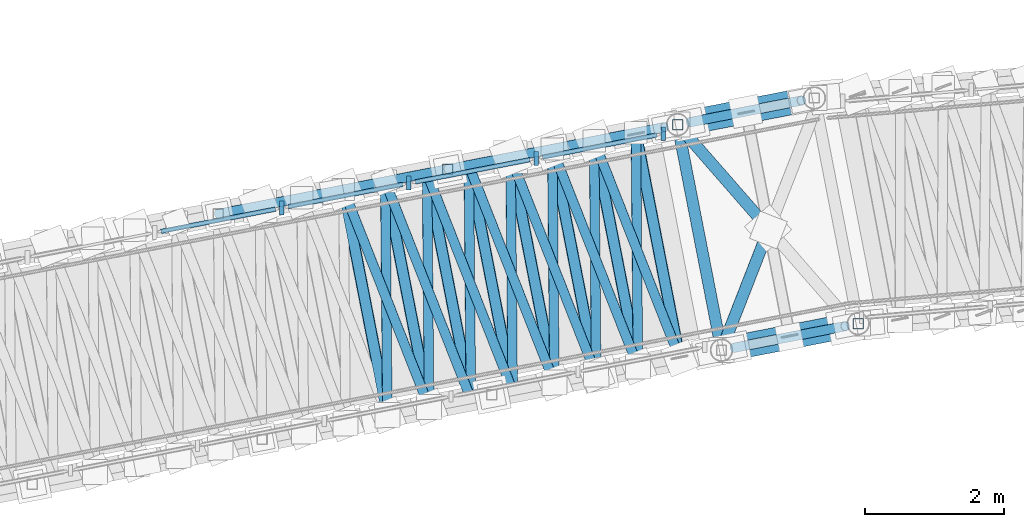
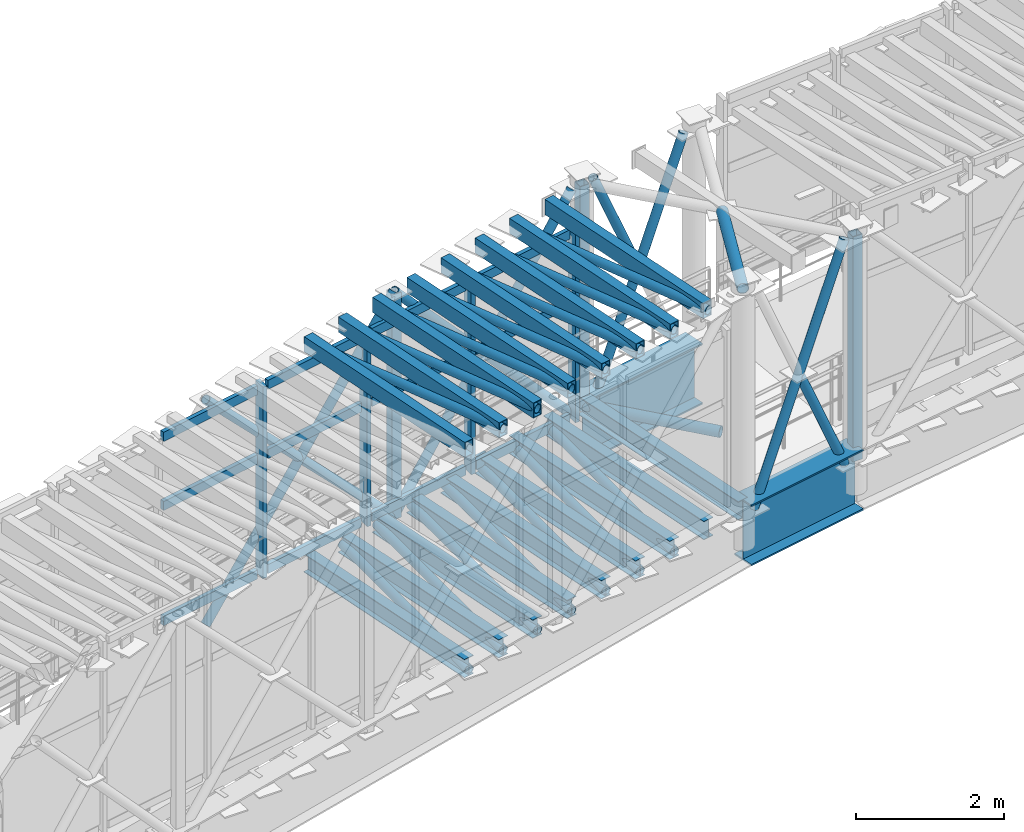
# One storey, part 49 of 144: 53 members, 11 beams, 1 element without a shape of its own.
"""IFC4 building model written with IfcOpenShell, lengths in metres."""

from ifc_helpers import new_model, si_unit, direction, frame, origin, origin_2d, place, context, subcontext, project, spatial, rectangle, hollow_rectangle, hollow_circle, i_section, extrude, material, material_profile, profile_set, type_object, element, aggregate, save


model = new_model("IFC4")

# Units and contexts
model_context = context("Model", 3, precision=1e-05, world=origin(), true_north=direction((0.0, 1.0)))
body_context = subcontext(model_context, "Body", "Model", "MODEL_VIEW")
ifc_project = project(units=[si_unit("LENGTHUNIT", "METRE"), si_unit("AREAUNIT", "SQUARE_METRE"), si_unit("VOLUMEUNIT", "CUBIC_METRE"), si_unit("PLANEANGLEUNIT", "RADIAN"), si_unit("MASSUNIT", "GRAM", prefix="KILO")], contexts=[model_context])

# Site, building, storey
site_placement = place(None, origin())
site = spatial("IfcSite", under=ifc_project, at=site_placement, CompositionType="ELEMENT")
building_placement = place(site_placement, origin())
building = spatial("IfcBuilding", under=site, at=building_placement, Name="Cinderbank Siding Concert Hall", CompositionType="ELEMENT")
storey_placement = place(building_placement, frame((0.0, 0.0, 5.39990234375)))
storey = spatial("IfcBuildingStorey", under=building, at=storey_placement, Name="L02", CompositionType="ELEMENT", Elevation=5.39990234375)

# Beams
ifc_material_1 = material(Name="Structural steel welded plate section AS/NZS 3679.2 / AS/NZS 3678 Grade 350 (340 MPa)", Category="steel")
ifc_material_profile_1 = material_profile(ifc_material_1, i_section(OverallWidth=0.35009765625, OverallDepth=1.0, WebThickness=0.013916015625, FlangeThickness=0.02490234375, at=origin_2d()), Name="1000WB258", Category="LoadBearing")
ifc_profile_set_1 = profile_set([ifc_material_profile_1], Name="Structural steel welded plate section AS/NZS 3679.2 / AS/NZS 3678 Grade 350 (340 MPa)")
beam_type_1 = type_object("IfcBeamType", Name="BM-WB1000 1000WB258", PredefinedType="BEAM", material=ifc_profile_set_1)
beam_1_placement = place(storey_placement, frame((61.677978515625, 100.68408203125, 0.239990234375), z_axis=(0.98162237434, 0.190833734427, 0.0), x_axis=(-0.190833734427, 0.98162237434, 0.0)))
element("IfcBeam", 1, at=beam_1_placement, inside=storey, type_object=beam_type_1, Name="L02 Beam BM-WB1000 #1925", PredefinedType="BEAM", context=body_context, shape_type="SweptSolid", body=[
    extrude(i_section(OverallWidth=0.35009765625, OverallDepth=1.0, WebThickness=0.013916015625, FlangeThickness=0.02490234375, at=origin_2d()), origin(), (0.0, 0.0, 1.0), 2.0009765625),
])
beam_2_placement = place(storey_placement, frame((62.30810546875, 97.445068359375, 0.239990234375), z_axis=(0.981691567677, 0.190477468355, 0.0), x_axis=(-0.190477468355, 0.981691567677, 0.0)))
element("IfcBeam", 2, at=beam_2_placement, inside=storey, type_object=beam_type_1, Name="L02 Beam BM-WB1000 #1926", PredefinedType="BEAM", context=body_context, shape_type="SweptSolid", body=[
    extrude(i_section(OverallWidth=0.35009765625, OverallDepth=1.0, WebThickness=0.013916015625, FlangeThickness=0.02490234375, at=origin_2d()), origin(), (0.0, 0.0, 1.0), 1.99951171875),
])

# Members
ifc_material_2 = material(Name="Structural steel hollow section AS/NZS 1163 Grade C350L0 (350 MPa)", Category="steel")
ifc_material_profile_2 = material_profile(ifc_material_2, hollow_circle(Radius=0.06982421875, WallThickness=0.00634765625, at=origin_2d()), Name="139.7x6.4CHS", Category="LoadBearing")
ifc_profile_set_2 = profile_set([ifc_material_profile_2], Name="Structural steel hollow section AS/NZS 1163 Grade C350L0 (350 MPa)")
member_type_1 = type_object("IfcMemberType", Name="BR-CHS139 139.7x6.4CHS Roof Truss", PredefinedType="BRACE", material=ifc_profile_set_2)
member_1_placement = place(storey_placement, frame((55.08154296875, 99.40185546875, 0.030029296875), z_axis=(0.636950106265, 0.123806882239, 0.760898428202), x_axis=(-0.190803535931, 0.981628244641, 0.0)))
element("IfcMember", 3, at=member_1_placement, inside=storey, type_object=member_type_1, Name="L02 Diagonal Brace BR-CHS139 #BRDL-BR-CHS139-L02-0046", PredefinedType="BRACE", context=body_context, shape_type="SweptSolid", body=[
    extrude(hollow_circle(Radius=0.06982421875, WallThickness=0.00634765625, at=origin_2d()), origin(), (0.0, 0.0, 1.0), 5.17822265625),
])
member_2_placement = place(storey_placement, frame((55.08154296875, 99.40185546875, 3.72998046875), z_axis=(0.683921718537, 0.132953648546, -0.717338421007), x_axis=(-0.190826606127, 0.981623760101, 0.0)))
element("IfcMember", 4, at=member_2_placement, inside=storey, type_object=member_type_1, Name="L02 Diagonal Brace BR-CHS139 #BRDL-BR-CHS139-L02-0047", PredefinedType="BRACE", context=body_context, shape_type="SweptSolid", body=[
    extrude(hollow_circle(Radius=0.06982421875, WallThickness=0.00634765625, at=origin_2d()), origin(), (0.0, 0.0, 1.0), 2.396240234375),
])
member_3_placement = place(storey_placement, frame((56.740966796875, 99.724365234375, 1.9892578125), z_axis=(0.683871737706, 0.132943932326, -0.717387870837), x_axis=(-0.190826606127, 0.981623760101, 0.0)))
element("IfcMember", 5, at=member_3_placement, inside=storey, type_object=member_type_1, Name="L02 Diagonal Brace BR-CHS139 #BRDL-BR-CHS139-L02-0047-S3", PredefinedType="BRACE", context=body_context, shape_type="SweptSolid", body=[
    extrude(hollow_circle(Radius=0.06982421875, WallThickness=0.00634765625, at=origin_2d()), origin(), (0.0, 0.0, 1.0), 2.396484375),
])
member_4_placement = place(storey_placement, frame((58.3798828125, 100.04296875, 0.27001953125), z_axis=(0.616605251592, 0.119837678163, 0.778098255108), x_axis=(-0.190781012595, 0.981632622335, 0.0)))
element("IfcMember", 6, at=member_4_placement, inside=storey, type_object=member_type_1, Name="L02 Diagonal Brace BR-CHS139 #BRDL-BR-CHS139-L02-0049", PredefinedType="BRACE", context=body_context, shape_type="SweptSolid", body=[
    extrude(hollow_circle(Radius=0.06982421875, WallThickness=0.00634765625, at=origin_2d()), origin(), (0.0, 0.0, 1.0), 5.04638671875),
])
member_5_placement = place(storey_placement, frame((58.3798828125, 100.04296875, 3.97021484375), z_axis=(0.661667443383, 0.128634337145, -0.738680852381), x_axis=(-0.190836463929, 0.981621843703, 0.0)))
element("IfcMember", 7, at=member_5_placement, inside=storey, type_object=member_type_1, Name="L02 Diagonal Brace BR-CHS139 #BRDL-BR-CHS139-L02-0050", PredefinedType="BRACE", context=body_context, shape_type="SweptSolid", body=[
    extrude(hollow_circle(Radius=0.06982421875, WallThickness=0.00634765625, at=origin_2d()), origin(), (0.0, 0.0, 1.0), 2.33642578125),
])
member_6_placement = place(storey_placement, frame((59.945556640625, 100.347412109375, 2.22216796875), z_axis=(0.661727411759, 0.128541490282, -0.738643295375), x_axis=(-0.190687077549, 0.981650874016, 0.0)))
element("IfcMember", 8, at=member_6_placement, inside=storey, type_object=member_type_1, Name="L02 Diagonal Brace BR-CHS139 #BRDL-BR-CHS139-L02-0050-S4", PredefinedType="BRACE", context=body_context, shape_type="SweptSolid", body=[
    extrude(hollow_circle(Radius=0.06982421875, WallThickness=0.00634765625, at=origin_2d()), origin(), (0.0, 0.0, 1.0), 2.336181640625),
])
member_7_placement = place(storey_placement, frame((57.510498046875, 96.51220703125, 0.19091796875), z_axis=(-0.009019674395, 0.999874550288, 0.013020336425), x_axis=(-0.999959315012, -0.009020439041, 0.0)))
element("IfcMember", 9, at=member_7_placement, inside=storey, type_object=member_type_1, Name="L02 Diagonal Brace BR-CHS139 #BRST-BR-CHS139-L02-0104", PredefinedType="BRACE", context=body_context, shape_type="SweptSolid", body=[
    extrude(hollow_circle(Radius=0.06982421875, WallThickness=0.00634765625, at=origin_2d()), origin(), (0.0, 0.0, 1.0), 3.3564453125),
])
for number, where, z_axis, x_axis, name in (
    (10, (56.880615234375, 99.75146484375, 3.8310546875), (0.366337311917, -0.93039202133, 0.012948379968), (0.930470026155, 0.366368025935, 0.0), "L02 Diagonal Brace BR-CHS139 #BRXR-BR-CHS139-L02-0105"),
    (11, (58.110107421875, 96.62890625, 0.234619140625), (-0.008947591693, 0.99987518549, 0.013021291975), (-0.999959962712, -0.008948350339, 0.0), "L02 Diagonal Brace BR-CHS139 #BRST-BR-CHS139-L02-0107"),
    (12, (57.480224609375, 99.8681640625, 3.87451171875), (0.366399944613, -0.930366347351, 0.013020764361), (0.930445224677, 0.366431008342, 0.0), "L02 Diagonal Brace BR-CHS139 #BRXR-BR-CHS139-L02-0108"),
    (13, (58.7099609375, 96.74560546875, 0.2783203125), (-0.009020338966, 0.999875476502, 0.012948551096), (-0.999959309092, -0.009021095258, 0.0), "L02 Diagonal Brace BR-CHS139 #BRST-BR-CHS139-L02-0110"),
    (14, (58.080078125, 99.984619140625, 3.918212890625), (0.36633696589, -0.930391142521, 0.013021111377), (0.930470026155, 0.366368025935, 0.0), "L02 Diagonal Brace BR-CHS139 #BRXR-BR-CHS139-L02-0111"),
    (15, (59.3095703125, 96.862060546875, 0.32177734375), (-0.009020330445, 0.999874532037, 0.013021283466), (-0.999959309092, -0.009021095258, 0.0), "L02 Diagonal Brace BR-CHS139 #BRST-BR-CHS139-L02-0113"),
):
    element("IfcMember", number, at=place(storey_placement, frame(where, z_axis=z_axis, x_axis=x_axis)), inside=storey, type_object=member_type_1, Name=name, PredefinedType="BRACE", context=body_context, shape_type="SweptSolid", body=[
        extrude(hollow_circle(Radius=0.06982421875, WallThickness=0.00634765625, at=origin_2d()), origin(), (0.0, 0.0, 1.0), 3.356201171875),
    ])
member_8_placement = place(storey_placement, frame((58.6796875, 100.101318359375, 3.9619140625), z_axis=(0.366312173738, -0.93040091626, 0.013020230163), x_axis=(0.930479790045, 0.366343227477, 0.0)))
element("IfcMember", 16, at=member_8_placement, inside=storey, type_object=member_type_1, Name="L02 Diagonal Brace BR-CHS139 #BRXR-BR-CHS139-L02-0114", PredefinedType="BRACE", context=body_context, shape_type="SweptSolid", body=[
    extrude(hollow_circle(Radius=0.06982421875, WallThickness=0.00634765625, at=origin_2d()), origin(), (0.0, 0.0, 1.0), 3.3564453125),
])
for number, where, z_axis, x_axis, name in (
    (17, (59.9091796875, 96.978515625, 0.365478515625), (-0.009020330445, 0.999874532037, 0.013021283466), (-0.999959309092, -0.009021095258, 0.0), "L02 Diagonal Brace BR-CHS139 #BRST-BR-CHS139-L02-0116"),
    (18, (59.279296875, 100.2177734375, 4.005615234375), (0.366399944613, -0.930366347351, 0.013020764361), (0.930445224677, 0.366431008342, 0.0), "L02 Diagonal Brace BR-CHS139 #BRXR-BR-CHS139-L02-0117"),
    (19, (60.509033203125, 97.09521484375, 0.4091796875), (-0.009020330445, 0.999874532037, 0.013021283466), (-0.999959309092, -0.009021095258, 0.0), "L02 Diagonal Brace BR-CHS139 #BRST-BR-CHS139-L02-0119"),
):
    element("IfcMember", number, at=place(storey_placement, frame(where, z_axis=z_axis, x_axis=x_axis)), inside=storey, type_object=member_type_1, Name=name, PredefinedType="BRACE", context=body_context, shape_type="SweptSolid", body=[
        extrude(hollow_circle(Radius=0.06982421875, WallThickness=0.00634765625, at=origin_2d()), origin(), (0.0, 0.0, 1.0), 3.356201171875),
    ])
for number, where, z_axis, x_axis, name in (
    (20, (59.87890625, 100.334228515625, 4.04931640625), (0.36642508894, -0.930357447379, 0.012948911223), (0.930435455707, 0.366455812839, 0.0), "L02 Diagonal Brace BR-CHS139 #BRXR-BR-CHS139-L02-0120"),
    (21, (61.108642578125, 97.2119140625, 0.452880859375), (-0.009020986591, 0.999874513782, 0.013022230644), (-0.999959303171, -0.009021751571, 0.0), "L02 Diagonal Brace BR-CHS139 #BRST-BR-CHS139-L02-0122"),
):
    element("IfcMember", number, at=place(storey_placement, frame(where, z_axis=z_axis, x_axis=x_axis)), inside=storey, type_object=member_type_1, Name=name, PredefinedType="BRACE", context=body_context, shape_type="SweptSolid", body=[
        extrude(hollow_circle(Radius=0.06982421875, WallThickness=0.00634765625, at=origin_2d()), origin(), (0.0, 0.0, 1.0), 3.35595703125),
    ])
member_9_placement = place(storey_placement, frame((60.478759765625, 100.450927734375, 4.0927734375), z_axis=(0.36633696589, -0.930391142521, 0.013021111377), x_axis=(0.930470026155, 0.366368025935, 0.0)))
element("IfcMember", 22, at=member_9_placement, inside=storey, type_object=member_type_1, Name="L02 Diagonal Brace BR-CHS139 #BRXR-BR-CHS139-L02-0123", PredefinedType="BRACE", context=body_context, shape_type="SweptSolid", body=[
    extrude(hollow_circle(Radius=0.06982421875, WallThickness=0.00634765625, at=origin_2d()), origin(), (0.0, 0.0, 1.0), 3.356201171875),
])
member_10_placement = place(storey_placement, frame((61.864501953125, 100.72021484375, 0.510009765625), z_axis=(0.393862039897, 0.076632970169, 0.915969476244), x_axis=(-0.190986570476, 0.981592649676, 0.0)))
element("IfcMember", 23, at=member_10_placement, inside=storey, type_object=member_type_1, Name="L02 Diagonal Brace BR-CHS139 #BRDL-BR-CHS139-L02-0129", PredefinedType="BRACE", context=body_context, shape_type="SweptSolid", body=[
    extrude(hollow_circle(Radius=0.06982421875, WallThickness=0.00634765625, at=origin_2d()), origin(), (0.0, 0.0, 1.0), 4.03955078125),
])
member_11_placement = place(storey_placement, frame((61.864501953125, 100.72021484375, 4.210205078125), z_axis=(0.393819954659, 0.076596398108, -0.91599063047), x_axis=(-0.190918403703, 0.981605910296, 0.0)))
element("IfcMember", 24, at=member_11_placement, inside=storey, type_object=member_type_1, Name="L02 Diagonal Brace BR-CHS139 #BRDL-BR-CHS139-L02-0130", PredefinedType="BRACE", context=body_context, shape_type="SweptSolid", body=[
    extrude(hollow_circle(Radius=0.06982421875, WallThickness=0.00634765625, at=origin_2d()), origin(), (0.0, 0.0, 1.0), 2.0048828125),
])
member_12_placement = place(storey_placement, frame((62.494384765625, 97.481201171875, 0.510009765625), z_axis=(0.393665050327, 0.076399911502, 0.916073622409), x_axis=(-0.190518660803, 0.981683574216, 0.0)))
element("IfcMember", 25, at=member_12_placement, inside=storey, type_object=member_type_1, Name="L02 Diagonal Brace BR-CHS139 #BRDR-BR-CHS139-L02-0132", PredefinedType="BRACE", context=body_context, shape_type="SweptSolid", body=[
    extrude(hollow_circle(Radius=0.06982421875, WallThickness=0.00634765625, at=origin_2d()), origin(), (0.0, 0.0, 1.0), 4.039306640625),
])
member_13_placement = place(storey_placement, frame((63.29541015625, 97.63671875, 2.346435546875), z_axis=(0.393621481265, 0.076361593055, -0.916095539009), x_axis=(-0.190446885291, 0.981697501211, 0.0)))
element("IfcMember", 26, at=member_13_placement, inside=storey, type_object=member_type_1, Name="L02 Diagonal Brace BR-CHS139 #BRDR-BR-CHS139-L02-0133-S10", PredefinedType="BRACE", context=body_context, shape_type="SweptSolid", body=[
    extrude(hollow_circle(Radius=0.06982421875, WallThickness=0.00634765625, at=origin_2d()), origin(), (0.0, 0.0, 1.0), 2.004638671875),
])
ifc_material_profile_3 = material_profile(ifc_material_2, hollow_circle(Radius=0.084228515625, WallThickness=0.007080078125, at=origin_2d()), Name="168.3x7.1CHS", Category="LoadBearing")
ifc_profile_set_3 = profile_set([ifc_material_profile_3], Name="Structural steel hollow section AS/NZS 1163 Grade C350L0 (350 MPa)")
member_type_2 = type_object("IfcMemberType", Name="BR-CHS168 168.3x7.1CHS Roof Truss", PredefinedType="BRACE", material=ifc_profile_set_3)
member_14_placement = place(storey_placement, frame((61.67822265625, 100.68408203125, 0.56005859375), z_axis=(0.657716658279, -0.753265422957, 0.0), x_axis=(0.753265422957, 0.657716658279, 0.0)))
element("IfcMember", 27, at=member_14_placement, inside=storey, type_object=member_type_2, Name="L02 Diagonal Brace BR-CHS168 #BRWB-BR-CHS168-L02-0136", PredefinedType="BRACE", context=body_context, shape_type="SweptSolid", body=[
    extrude(hollow_circle(Radius=0.084228515625, WallThickness=0.007080078125, at=origin_2d()), origin(), (0.0, 0.0, 1.0), 1.97509765625),
])
member_15_placement = place(storey_placement, frame((62.307861328125, 97.44482421875, 4.210205078125), z_axis=(0.363609410197, 0.93155149982, 0.0), x_axis=(-0.93155149982, 0.363609410197, 0.0)))
element("IfcMember", 28, at=member_15_placement, inside=storey, type_object=member_type_2, Name="L02 Diagonal Brace BR-CHS168 #BRWB-BR-CHS168-L02-0138", PredefinedType="BRACE", context=body_context, shape_type="SweptSolid", body=[
    extrude(hollow_circle(Radius=0.084228515625, WallThickness=0.007080078125, at=origin_2d()), origin(), (0.0, 0.0, 1.0), 1.853271484375),
])
ifc_material_profile_4 = material_profile(ifc_material_2, hollow_rectangle(XDim=0.14990234375, YDim=0.14990234375, WallThickness=0.008056640625, at=origin_2d()), Name="150x150x8.0SHS", Category="LoadBearing")
ifc_profile_set_4 = profile_set([ifc_material_profile_4], Name="Structural steel hollow section AS/NZS 1163 Grade C350L0 (350 MPa)")
member_type_3 = type_object("IfcMemberType", Name="BR-SHS150 150x150x8.0SHS Roof Truss", PredefinedType="BRACE", material=ifc_profile_set_4)
for number, where, z_axis, x_axis, name in (
    (29, (58.3798828125, 100.04296875, 0.27001953125), (0.0, 0.0, 1.0), (1.0, 0.0, 0.0), "L02 Diagonal Brace BR-SHS150 #BRVL-BR-SHS150-L02-0048"),
    (30, (61.677978515625, 100.68408203125, 0.510009765625), (0.0, 0.0, 1.0), (1.0, 0.0, 0.0), "L02 Diagonal Brace BR-SHS150 #BRVL-BR-SHS150-L02-0128"),
    (31, (64.27099609375, 97.825927734375, 0.510009765625), (0.0, 0.0, 1.0), (1.0, 0.0, 0.0), "L02 Diagonal Brace BR-SHS150 #BRVR-BR-SHS150-L02-0151"),
):
    element("IfcMember", number, at=place(storey_placement, frame(where, z_axis=z_axis, x_axis=x_axis)), inside=storey, type_object=member_type_3, Name=name, PredefinedType="BRACE", context=body_context, shape_type="SweptSolid", body=[
        extrude(hollow_rectangle(XDim=0.14990234375, YDim=0.14990234375, WallThickness=0.008056640625, at=origin_2d()), origin(), (0.0, 0.0, 1.0), 3.7001953125),
    ])

# Curtain wall, members
ifc_material_3 = material(Name="Anodised aluminium alloy 6063-T6", Category="aluminium")
curtain_wall_type = type_object("IfcCurtainWallType", Name="CW-15 Unitised Acoustic Curtain Wall 12800x3200", PredefinedType="NOTDEFINED", material=ifc_material_3)
curtain_wall_placement = place(storey_placement, origin())
curtain_wall = element("IfcCurtainWall", 32, at=curtain_wall_placement, inside=storey, type_object=curtain_wall_type, Name="L02 Curtain Wall CW-15 #153", PredefinedType="NOTDEFINED")
ifc_material_profile_5 = material_profile(ifc_material_3, rectangle(XDim=0.06494140625, YDim=0.199951171875, at=origin_2d()), Name="ALU-MULL-65x200", Category="LoadBearing")
ifc_profile_set_5 = profile_set([ifc_material_profile_5], Name="Anodised aluminium alloy 6063-T6")
member_type_4 = type_object("IfcMemberType", Name="CW-ML2 Mullion 65x200", PredefinedType="MULLION", material=ifc_profile_set_5)
member_16_placement = place(storey_placement, frame((55.9951171875, 99.48779296875, 0.47998046875), z_axis=(0.0, 0.0, 1.0), x_axis=(1.0, 0.0, 0.0)))
member_16 = element("IfcMember", 33, at=member_16_placement, type_object=member_type_4, Name="CW-L02-153 Mullion 4", PredefinedType="MULLION", context=body_context, shape_type="SweptSolid", body=[
    extrude(rectangle(XDim=0.06494140625, YDim=0.199951171875, at=origin_2d()), origin(), (0.0, 0.0, 1.0), 3.150146484375),
])
member_17_placement = place(storey_placement, frame((57.821044921875, 99.8427734375, 0.47998046875), z_axis=(0.0, 0.0, 1.0), x_axis=(1.0, 0.0, 0.0)))
member_17 = element("IfcMember", 34, at=member_17_placement, type_object=member_type_4, Name="CW-L02-153 Mullion 5", PredefinedType="MULLION", context=body_context, shape_type="SweptSolid", body=[
    extrude(rectangle(XDim=0.06494140625, YDim=0.199951171875, at=origin_2d()), origin(), (0.0, 0.0, 1.0), 3.150146484375),
])
member_18_placement = place(storey_placement, frame((59.646728515625, 100.197509765625, 0.47998046875), z_axis=(0.0, 0.0, 1.0), x_axis=(1.0, 0.0, 0.0)))
member_18 = element("IfcMember", 35, at=member_18_placement, type_object=member_type_4, Name="CW-L02-153 Mullion 6", PredefinedType="MULLION", context=body_context, shape_type="SweptSolid", body=[
    extrude(rectangle(XDim=0.06494140625, YDim=0.199951171875, at=origin_2d()), origin(), (0.0, 0.0, 1.0), 3.150146484375),
])
member_19_placement = place(storey_placement, frame((61.47265625, 100.552490234375, 0.47998046875), z_axis=(0.0, 0.0, 1.0), x_axis=(1.0, 0.0, 0.0)))
member_19 = element("IfcMember", 36, at=member_19_placement, type_object=member_type_4, Name="CW-L02-153 Mullion 7", PredefinedType="MULLION", context=body_context, shape_type="SweptSolid", body=[
    extrude(rectangle(XDim=0.06494140625, YDim=0.199951171875, at=origin_2d()), origin(), (0.0, 0.0, 1.0), 3.150146484375),
])
ifc_material_profile_6 = material_profile(ifc_material_3, rectangle(XDim=0.06494140625, YDim=0.14990234375, at=origin_2d()), Name="ALU-TRAN-65x150", Category="LoadBearing")
ifc_profile_set_6 = profile_set([ifc_material_profile_6], Name="Anodised aluminium alloy 6063-T6")
member_type_5 = type_object("IfcMemberType", Name="CW-TR2 Transom 65x150", PredefinedType="USERDEFINED", material=ifc_profile_set_6)
member_20_placement = place(storey_placement, frame((54.260498046875, 99.150634765625, 0.5400390625), z_axis=(0.981610076369, 0.190896982613, 0.0), x_axis=(-0.190896982613, 0.981610076369, 0.0)))
member_20 = element("IfcMember", 37, at=member_20_placement, type_object=member_type_5, Name="CW-L02-153 Transom 3-0", ObjectType="TRANSOM", PredefinedType="USERDEFINED", context=body_context, shape_type="SweptSolid", body=[
    extrude(rectangle(XDim=0.06494140625, YDim=0.14990234375, at=origin_2d()), origin(), (0.0, 0.0, 1.0), 1.674072265625),
])
member_21_placement = place(storey_placement, frame((54.260498046875, 99.150634765625, 2.43310546875), z_axis=(0.981610076369, 0.190896982613, 0.0), x_axis=(-0.190896982613, 0.981610076369, 0.0)))
member_21 = element("IfcMember", 38, at=member_21_placement, type_object=member_type_5, Name="CW-L02-153 Transom 3-1", ObjectType="TRANSOM", PredefinedType="USERDEFINED", context=body_context, shape_type="SweptSolid", body=[
    extrude(rectangle(XDim=0.06494140625, YDim=0.14990234375, at=origin_2d()), origin(), (0.0, 0.0, 1.0), 1.674072265625),
])
member_22_placement = place(storey_placement, frame((54.260498046875, 99.150634765625, 3.570068359375), z_axis=(0.981610076369, 0.190896982613, 0.0), x_axis=(-0.190896982613, 0.981610076369, 0.0)))
member_22 = element("IfcMember", 39, at=member_22_placement, type_object=member_type_5, Name="CW-L02-153 Transom 3-2", ObjectType="TRANSOM", PredefinedType="USERDEFINED", context=body_context, shape_type="SweptSolid", body=[
    extrude(rectangle(XDim=0.06494140625, YDim=0.14990234375, at=origin_2d()), origin(), (0.0, 0.0, 1.0), 1.674072265625),
])
member_23_placement = place(storey_placement, frame((56.08642578125, 99.505615234375, 0.5400390625), z_axis=(0.981637394419, 0.190756456975, 0.0), x_axis=(-0.190756456975, 0.981637394419, 0.0)))
member_23 = element("IfcMember", 40, at=member_23_placement, type_object=member_type_5, Name="CW-L02-153 Transom 4-0", ObjectType="TRANSOM", PredefinedType="USERDEFINED", context=body_context, shape_type="SweptSolid", body=[
    extrude(rectangle(XDim=0.06494140625, YDim=0.14990234375, at=origin_2d()), origin(), (0.0, 0.0, 1.0), 1.674072265625),
])
member_24_placement = place(storey_placement, frame((56.08642578125, 99.505615234375, 2.43310546875), z_axis=(0.981637394419, 0.190756456975, 0.0), x_axis=(-0.190756456975, 0.981637394419, 0.0)))
member_24 = element("IfcMember", 41, at=member_24_placement, type_object=member_type_5, Name="CW-L02-153 Transom 4-1", ObjectType="TRANSOM", PredefinedType="USERDEFINED", context=body_context, shape_type="SweptSolid", body=[
    extrude(rectangle(XDim=0.06494140625, YDim=0.14990234375, at=origin_2d()), origin(), (0.0, 0.0, 1.0), 1.674072265625),
])
member_25_placement = place(storey_placement, frame((56.08642578125, 99.505615234375, 3.570068359375), z_axis=(0.981637394419, 0.190756456975, 0.0), x_axis=(-0.190756456975, 0.981637394419, 0.0)))
member_25 = element("IfcMember", 42, at=member_25_placement, type_object=member_type_5, Name="CW-L02-153 Transom 4-2", ObjectType="TRANSOM", PredefinedType="USERDEFINED", context=body_context, shape_type="SweptSolid", body=[
    extrude(rectangle(XDim=0.06494140625, YDim=0.14990234375, at=origin_2d()), origin(), (0.0, 0.0, 1.0), 1.674072265625),
])
member_26_placement = place(storey_placement, frame((57.912353515625, 99.860595703125, 0.5400390625), z_axis=(0.981632086513, 0.190783769563, 0.0), x_axis=(-0.190783769563, 0.981632086513, 0.0)))
member_26 = element("IfcMember", 43, at=member_26_placement, type_object=member_type_5, Name="CW-L02-153 Transom 5-0", ObjectType="TRANSOM", PredefinedType="USERDEFINED", context=body_context, shape_type="SweptSolid", body=[
    extrude(rectangle(XDim=0.06494140625, YDim=0.14990234375, at=origin_2d()), origin(), (0.0, 0.0, 1.0), 1.673828125),
])
member_27_placement = place(storey_placement, frame((57.912353515625, 99.860595703125, 2.43310546875), z_axis=(0.981632086513, 0.190783769563, 0.0), x_axis=(-0.190783769563, 0.981632086513, 0.0)))
member_27 = element("IfcMember", 44, at=member_27_placement, type_object=member_type_5, Name="CW-L02-153 Transom 5-1", ObjectType="TRANSOM", PredefinedType="USERDEFINED", context=body_context, shape_type="SweptSolid", body=[
    extrude(rectangle(XDim=0.06494140625, YDim=0.14990234375, at=origin_2d()), origin(), (0.0, 0.0, 1.0), 1.673828125),
])
member_28_placement = place(storey_placement, frame((57.912353515625, 99.860595703125, 3.570068359375), z_axis=(0.981632086513, 0.190783769563, 0.0), x_axis=(-0.190783769563, 0.981632086513, 0.0)))
member_28 = element("IfcMember", 45, at=member_28_placement, type_object=member_type_5, Name="CW-L02-153 Transom 5-2", ObjectType="TRANSOM", PredefinedType="USERDEFINED", context=body_context, shape_type="SweptSolid", body=[
    extrude(rectangle(XDim=0.06494140625, YDim=0.14990234375, at=origin_2d()), origin(), (0.0, 0.0, 1.0), 1.673828125),
])
member_29_placement = place(storey_placement, frame((59.738037109375, 100.21533203125, 0.5400390625), z_axis=(0.981610076369, 0.190896982613, 0.0), x_axis=(-0.190896982613, 0.981610076369, 0.0)))
member_29 = element("IfcMember", 46, at=member_29_placement, type_object=member_type_5, Name="CW-L02-153 Transom 6-0", ObjectType="TRANSOM", PredefinedType="USERDEFINED", context=body_context, shape_type="SweptSolid", body=[
    extrude(rectangle(XDim=0.06494140625, YDim=0.14990234375, at=origin_2d()), origin(), (0.0, 0.0, 1.0), 1.674072265625),
])
member_30_placement = place(storey_placement, frame((59.738037109375, 100.21533203125, 2.43310546875), z_axis=(0.981610076369, 0.190896982613, 0.0), x_axis=(-0.190896982613, 0.981610076369, 0.0)))
member_30 = element("IfcMember", 47, at=member_30_placement, type_object=member_type_5, Name="CW-L02-153 Transom 6-1", ObjectType="TRANSOM", PredefinedType="USERDEFINED", context=body_context, shape_type="SweptSolid", body=[
    extrude(rectangle(XDim=0.06494140625, YDim=0.14990234375, at=origin_2d()), origin(), (0.0, 0.0, 1.0), 1.674072265625),
])
member_31_placement = place(storey_placement, frame((59.738037109375, 100.21533203125, 3.570068359375), z_axis=(0.981610076369, 0.190896982613, 0.0), x_axis=(-0.190896982613, 0.981610076369, 0.0)))
member_31 = element("IfcMember", 48, at=member_31_placement, type_object=member_type_5, Name="CW-L02-153 Transom 6-2", ObjectType="TRANSOM", PredefinedType="USERDEFINED", context=body_context, shape_type="SweptSolid", body=[
    extrude(rectangle(XDim=0.06494140625, YDim=0.14990234375, at=origin_2d()), origin(), (0.0, 0.0, 1.0), 1.674072265625),
])
aggregate(curtain_wall, [member_16, member_17, member_18, member_19, member_20, member_21, member_22, member_23, member_24, member_25, member_26, member_27, member_28, member_29, member_30, member_31])

# Beams
ifc_material_4 = material(Name="Structural steel AS/NZS 3679.1 Grade 350 (340 MPa)", Category="steel")
ifc_material_profile_7 = material_profile(ifc_material_4, i_section(OverallWidth=0.1650390625, OverallDepth=0.303955078125, WebThickness=0.006103515625, FlangeThickness=0.01025390625, at=origin_2d()), Name="310UB40.4", Category="LoadBearing")
ifc_profile_set_7 = profile_set([ifc_material_profile_7], Name="Structural steel AS/NZS 3679.1 Grade 350 (340 MPa)")
beam_type_2 = type_object("IfcBeamType", Name="JS-UB310 310UB40.4", PredefinedType="JOIST", material=ifc_profile_set_7)
for number, where, z_axis, x_axis, name in (
    (49, (57.510498046875, 96.51220703125, 0.239013671875), (-0.190877580012, 0.981613849458, 0.0), (-0.981613849458, -0.190877580012, 0.0), "L02 Beam JS-UB310 #1916"),
    (50, (58.110107421875, 96.62890625, 0.28271484375), (-0.190877580012, 0.981613849458, 0.0), (-0.981613849458, -0.190877580012, 0.0), "L02 Beam JS-UB310 #1917"),
):
    element("IfcBeam", number, at=place(storey_placement, frame(where, z_axis=z_axis, x_axis=x_axis)), inside=storey, type_object=beam_type_2, Name=name, PredefinedType="JOIST", context=body_context, shape_type="SweptSolid", body=[
        extrude(i_section(OverallWidth=0.1650390625, OverallDepth=0.303955078125, WebThickness=0.006103515625, FlangeThickness=0.01025390625, at=origin_2d()), origin(), (0.0, 0.0, 1.0), 3.300048828125),
    ])
beam_3_placement = place(storey_placement, frame((58.7099609375, 96.74560546875, 0.326416015625), z_axis=(-0.190891443157, 0.981611153629, 0.0), x_axis=(-0.981611153629, -0.190891443157, 0.0)))
element("IfcBeam", 51, at=beam_3_placement, inside=storey, type_object=beam_type_2, Name="L02 Beam JS-UB310 #1918", PredefinedType="JOIST", context=body_context, shape_type="SweptSolid", body=[
    extrude(i_section(OverallWidth=0.1650390625, OverallDepth=0.303955078125, WebThickness=0.006103515625, FlangeThickness=0.01025390625, at=origin_2d()), origin(), (0.0, 0.0, 1.0), 3.2998046875),
])
for number, where, z_axis, x_axis, name in (
    (52, (59.3095703125, 96.862060546875, 0.369873046875), (-0.190877580012, 0.981613849458, 0.0), (-0.981613849458, -0.190877580012, 0.0), "L02 Beam JS-UB310 #1919"),
    (53, (59.9091796875, 96.978515625, 0.41357421875), (-0.190877580012, 0.981613849458, 0.0), (-0.981613849458, -0.190877580012, 0.0), "L02 Beam JS-UB310 #1920"),
):
    element("IfcBeam", number, at=place(storey_placement, frame(where, z_axis=z_axis, x_axis=x_axis)), inside=storey, type_object=beam_type_2, Name=name, PredefinedType="JOIST", context=body_context, shape_type="SweptSolid", body=[
        extrude(i_section(OverallWidth=0.1650390625, OverallDepth=0.303955078125, WebThickness=0.006103515625, FlangeThickness=0.01025390625, at=origin_2d()), origin(), (0.0, 0.0, 1.0), 3.300048828125),
    ])
for number, where, z_axis, x_axis, name in (
    (54, (60.509033203125, 97.09521484375, 0.457275390625), (-0.190962734455, 0.981597287104, 0.0), (-0.981597287104, -0.190962734455, 0.0), "L02 Beam JS-UB310 #1921"),
    (55, (61.108642578125, 97.2119140625, 0.500732421875), (-0.190891443157, 0.981611153629, 0.0), (-0.981611153629, -0.190891443157, 0.0), "L02 Beam JS-UB310 #1922"),
    (56, (61.708251953125, 97.328369140625, 0.54443359375), (-0.190891443157, 0.981611153629, 0.0), (-0.981611153629, -0.190891443157, 0.0), "L02 Beam JS-UB310 #1923"),
    (57, (62.30810546875, 97.445068359375, 0.588134765625), (-0.190962734455, 0.981597287104, 0.0), (-0.981597287104, -0.190962734455, 0.0), "L02 Beam JS-UB310 #1924"),
):
    element("IfcBeam", number, at=place(storey_placement, frame(where, z_axis=z_axis, x_axis=x_axis)), inside=storey, type_object=beam_type_2, Name=name, PredefinedType="JOIST", context=body_context, shape_type="SweptSolid", body=[
        extrude(i_section(OverallWidth=0.1650390625, OverallDepth=0.303955078125, WebThickness=0.006103515625, FlangeThickness=0.01025390625, at=origin_2d()), origin(), (0.0, 0.0, 1.0), 3.2998046875),
    ])

# Members
ifc_material_profile_8 = material_profile(ifc_material_2, hollow_rectangle(XDim=0.14990234375, YDim=0.25, WallThickness=0.009033203125, at=origin_2d()), Name="250x150x9.0RHS", Category="LoadBearing")
ifc_profile_set_8 = profile_set([ifc_material_profile_8], Name="Structural steel hollow section AS/NZS 1163 Grade C350L0 (350 MPa)")
member_type_6 = type_object("IfcMemberType", Name="PR-RHS250 250x150x9.0RHS Roof Truss", PredefinedType="PURLIN", material=ifc_profile_set_8)
for number, where, z_axis, x_axis, name in (
    (58, (57.510498046875, 96.51220703125, 3.8310546875), (-0.190877580012, 0.981613849458, 0.0), (-0.981613849458, -0.190877580012, 0.0), "L02 Roof Truss Member PR-RHS250 #100"),
    (59, (58.110107421875, 96.62890625, 3.87451171875), (-0.190877580012, 0.981613849458, 0.0), (-0.981613849458, -0.190877580012, 0.0), "L02 Roof Truss Member PR-RHS250 #103"),
):
    element("IfcMember", number, at=place(storey_placement, frame(where, z_axis=z_axis, x_axis=x_axis)), inside=storey, type_object=member_type_6, Name=name, PredefinedType="PURLIN", context=body_context, shape_type="SweptSolid", body=[
        extrude(hollow_rectangle(XDim=0.14990234375, YDim=0.25, WallThickness=0.009033203125, at=origin_2d()), origin(), (0.0, 0.0, 1.0), 3.300048828125),
    ])
member_32_placement = place(storey_placement, frame((58.7099609375, 96.74560546875, 3.918212890625), z_axis=(-0.190891443157, 0.981611153629, 0.0), x_axis=(-0.981611153629, -0.190891443157, 0.0)))
element("IfcMember", 60, at=member_32_placement, inside=storey, type_object=member_type_6, Name="L02 Roof Truss Member PR-RHS250 #106", PredefinedType="PURLIN", context=body_context, shape_type="SweptSolid", body=[
    extrude(hollow_rectangle(XDim=0.14990234375, YDim=0.25, WallThickness=0.009033203125, at=origin_2d()), origin(), (0.0, 0.0, 1.0), 3.2998046875),
])
for number, where, z_axis, x_axis, name in (
    (61, (59.3095703125, 96.862060546875, 3.9619140625), (-0.190877580012, 0.981613849458, 0.0), (-0.981613849458, -0.190877580012, 0.0), "L02 Roof Truss Member PR-RHS250 #109"),
    (62, (59.9091796875, 96.978515625, 4.005615234375), (-0.190877580012, 0.981613849458, 0.0), (-0.981613849458, -0.190877580012, 0.0), "L02 Roof Truss Member PR-RHS250 #112"),
):
    element("IfcMember", number, at=place(storey_placement, frame(where, z_axis=z_axis, x_axis=x_axis)), inside=storey, type_object=member_type_6, Name=name, PredefinedType="PURLIN", context=body_context, shape_type="SweptSolid", body=[
        extrude(hollow_rectangle(XDim=0.14990234375, YDim=0.25, WallThickness=0.009033203125, at=origin_2d()), origin(), (0.0, 0.0, 1.0), 3.300048828125),
    ])
for number, where, z_axis, x_axis, name in (
    (63, (60.509033203125, 97.09521484375, 4.04931640625), (-0.190962734455, 0.981597287104, 0.0), (-0.981597287104, -0.190962734455, 0.0), "L02 Roof Truss Member PR-RHS250 #115"),
    (64, (61.108642578125, 97.2119140625, 4.0927734375), (-0.190891443157, 0.981611153629, 0.0), (-0.981611153629, -0.190891443157, 0.0), "L02 Roof Truss Member PR-RHS250 #118"),
):
    element("IfcMember", number, at=place(storey_placement, frame(where, z_axis=z_axis, x_axis=x_axis)), inside=storey, type_object=member_type_6, Name=name, PredefinedType="PURLIN", context=body_context, shape_type="SweptSolid", body=[
        extrude(hollow_rectangle(XDim=0.14990234375, YDim=0.25, WallThickness=0.009033203125, at=origin_2d()), origin(), (0.0, 0.0, 1.0), 3.2998046875),
    ])
member_33_placement = place(storey_placement, frame((61.70361328125, 97.352783203125, 4.136474609375), z_axis=(-0.190956116663, 0.981598574525, 0.0), x_axis=(-0.981598574525, -0.190956116663, 0.0)))
element("IfcMember", 65, at=member_33_placement, inside=storey, type_object=member_type_6, Name="L02 Roof Truss Member PR-RHS250 #121", PredefinedType="PURLIN", context=body_context, shape_type="SweptSolid", body=[
    extrude(hollow_rectangle(XDim=0.14990234375, YDim=0.25, WallThickness=0.009033203125, at=origin_2d()), origin(), (0.0, 0.0, 1.0), 3.25),
])

save(model, "model.ifc")
